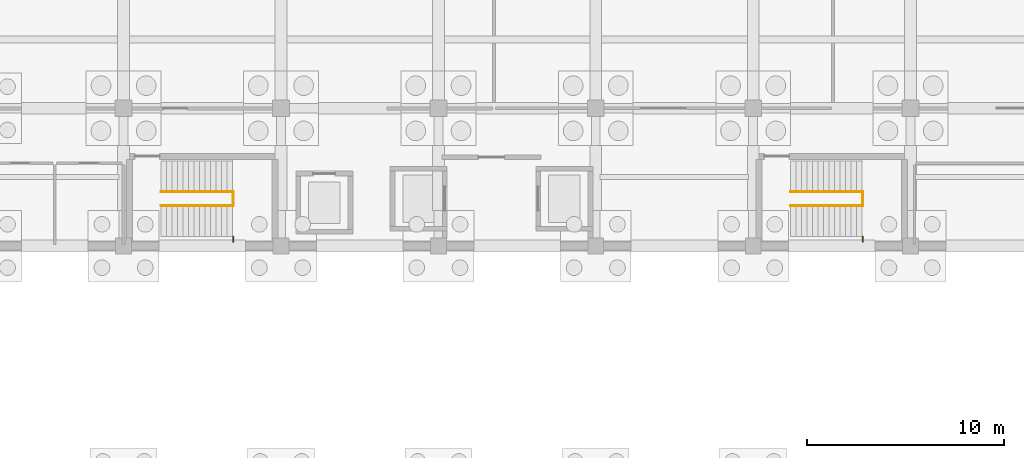
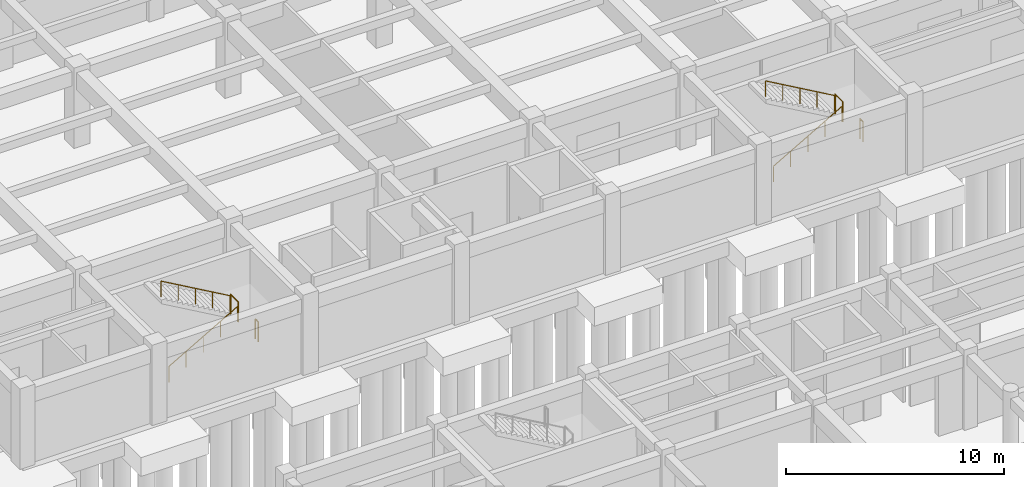
# One storey, part 26 of 28: 8 railings.
"""IFC4 building model written with IfcOpenShell, lengths in metres."""

from ifc_helpers import new_model, si_unit, direction, frame, origin, origin_2d, place, context, subcontext, project, spatial, circle, extrude, material, type_object, element, save


model = new_model("IFC4")

# Units and contexts
model_context = context("Model", 3, precision=1e-05, world=origin(), true_north=direction((0.0, 1.0)))
body_context = subcontext(model_context, "Body", "Model", "MODEL_VIEW")
ifc_project = project(units=[si_unit("LENGTHUNIT", "METRE"), si_unit("AREAUNIT", "SQUARE_METRE"), si_unit("VOLUMEUNIT", "CUBIC_METRE"), si_unit("PLANEANGLEUNIT", "RADIAN"), si_unit("MASSUNIT", "GRAM", prefix="KILO")], contexts=[model_context])

# Site, building, storey
site_placement = place(None, origin())
site = spatial("IfcSite", under=ifc_project, at=site_placement, CompositionType="ELEMENT")
building_placement = place(site_placement, origin())
building = spatial("IfcBuilding", under=site, at=building_placement, Name="Naurynzar Civic Courthouse", CompositionType="ELEMENT")
storey_placement = place(building_placement, frame((0.0, 0.0, -4.5)))
storey = spatial("IfcBuildingStorey", under=building, at=storey_placement, Name="B01", CompositionType="ELEMENT", Elevation=-4.5)

# Railings
ifc_material_1 = material(Name="Brushed Stainless Steel 304", Category="steel")
railing_type_1 = type_object("IfcRailingType", Name="RAIL-BAL-1100", PredefinedType="BALUSTRADE", material=ifc_material_1)
railing_1_placement = place(storey_placement, frame((74.580078125, 46.0400390625, 2.25)))
element("IfcRailing", 1, at=railing_1_placement, inside=storey, type_object=railing_type_1, Name="Stair ST-V2A-B01 half-landing well guard", PredefinedType="BALUSTRADE", context=body_context, shape_type="SweptSolid", body=[
    extrude(circle(Radius=0.02392578125, at=origin_2d()), frame((0.0, 0.0, 1.09619140625), z_axis=(0.0, 1.0, 0.0), x_axis=(-1.0, 0.0, 0.0)), (0.0, 0.0, 1.0), 0.719970703125),
    extrude(circle(Radius=0.02099609375, at=origin_2d()), origin(), (0.0, 0.0, 1.0), 1.072021484375),
    extrude(circle(Radius=0.02099609375, at=origin_2d()), frame((0.0, 0.719970703125, 0.0)), (0.0, 0.0, 1.0), 1.072021484375),
])
railing_2_placement = place(storey_placement, frame((74.580078125, 44.205078125, 2.25)))
element("IfcRailing", 2, at=railing_2_placement, inside=storey, type_object=railing_type_1, Name="Stair ST-V2A-B01 half-landing south slot guard", PredefinedType="BALUSTRADE", context=body_context, shape_type="SweptSolid", body=[
    extrude(circle(Radius=0.02392578125, at=origin_2d()), frame((0.0, 0.0, 1.09619140625), z_axis=(0.0, 1.0, 0.0), x_axis=(-1.0, 0.0, 0.0)), (0.0, 0.0, 1.0), 0.27490234375),
    extrude(circle(Radius=0.02099609375, at=origin_2d()), origin(), (0.0, 0.0, 1.0), 1.072021484375),
    extrude(circle(Radius=0.02099609375, at=origin_2d()), frame((0.0, 0.27490234375, 0.0)), (0.0, 0.0, 1.0), 1.072021484375),
])
railing_3_placement = place(storey_placement, frame((106.580078125, 46.0400390625, 2.25)))
element("IfcRailing", 3, at=railing_3_placement, inside=storey, type_object=railing_type_1, Name="Stair ST-V2B-B01 half-landing well guard", PredefinedType="BALUSTRADE", context=body_context, shape_type="SweptSolid", body=[
    extrude(circle(Radius=0.02392578125, at=origin_2d()), frame((0.0, 0.0, 1.09619140625), z_axis=(0.0, 1.0, 0.0), x_axis=(-1.0, 0.0, 0.0)), (0.0, 0.0, 1.0), 0.719970703125),
    extrude(circle(Radius=0.02099609375, at=origin_2d()), origin(), (0.0, 0.0, 1.0), 1.072021484375),
    extrude(circle(Radius=0.02099609375, at=origin_2d()), frame((0.0, 0.719970703125, 0.0)), (0.0, 0.0, 1.0), 1.072021484375),
])
railing_4_placement = place(storey_placement, frame((106.580078125, 44.205078125, 2.25)))
element("IfcRailing", 4, at=railing_4_placement, inside=storey, type_object=railing_type_1, Name="Stair ST-V2B-B01 half-landing south slot guard", PredefinedType="BALUSTRADE", context=body_context, shape_type="SweptSolid", body=[
    extrude(circle(Radius=0.02392578125, at=origin_2d()), frame((0.0, 0.0, 1.09619140625), z_axis=(0.0, 1.0, 0.0), x_axis=(-1.0, 0.0, 0.0)), (0.0, 0.0, 1.0), 0.27490234375),
    extrude(circle(Radius=0.02099609375, at=origin_2d()), origin(), (0.0, 0.0, 1.0), 1.072021484375),
    extrude(circle(Radius=0.02099609375, at=origin_2d()), frame((0.0, 0.27490234375, 0.0)), (0.0, 0.0, 1.0), 1.072021484375),
])
ifc_material_2 = material(Name="Brushed Stainless Steel 304", Category="steel")
railing_type_2 = type_object("IfcRailingType", Name="RAIL-HR-900", PredefinedType="HANDRAIL", material=ifc_material_2)
railing_5_placement = place(storey_placement, frame((70.89990234375, 46.0400390625, 0.16064453125)))
element("IfcRailing", 5, at=railing_5_placement, inside=storey, type_object=railing_type_2, Name="Stair ST-V2A-B01 flight 1 handrail", PredefinedType="HANDRAIL", context=body_context, shape_type="SweptSolid", body=[
    extrude(circle(Radius=0.02392578125, at=origin_2d()), frame((0.0, 0.0, 0.8759765625), z_axis=(0.867289372828, 0.0, 0.497804322781), x_axis=(0.0, 1.0, 0.0)), (0.0, 0.0, 1.0), 4.197021484375),
    extrude(circle(Radius=0.02099609375, at=origin_2d()), origin(), (0.0, 0.0, 1.0), 0.851806640625),
    extrude(circle(Radius=0.02099609375, at=origin_2d()), frame((0.91015625, 0.0, 0.5224609375)), (0.0, 0.0, 1.0), 0.851806640625),
    extrude(circle(Radius=0.02099609375, at=origin_2d()), frame((1.820068359375, 0.0, 1.044677734375)), (0.0, 0.0, 1.0), 0.851806640625),
    extrude(circle(Radius=0.02099609375, at=origin_2d()), frame((2.72998046875, 0.0, 1.56689453125)), (0.0, 0.0, 1.0), 0.851806640625),
    extrude(circle(Radius=0.02099609375, at=origin_2d()), frame((3.64013671875, 0.0, 2.08935546875)), (0.0, 0.0, 1.0), 0.851806640625),
])
railing_6_placement = place(storey_placement, frame((74.5400390625, 46.760009765625, 2.41064453125)))
element("IfcRailing", 6, at=railing_6_placement, inside=storey, type_object=railing_type_2, Name="Stair ST-V2A-B01 flight 2 handrail", PredefinedType="HANDRAIL", context=body_context, shape_type="SweptSolid", body=[
    extrude(circle(Radius=0.02392578125, at=origin_2d()), frame((0.0, 0.0, 0.8759765625), z_axis=(-0.867289372828, 0.0, 0.497804322781), x_axis=(0.0, -1.0, 0.0)), (0.0, 0.0, 1.0), 4.197021484375),
    extrude(circle(Radius=0.02099609375, at=origin_2d()), origin(), (0.0, 0.0, 1.0), 0.851806640625),
    extrude(circle(Radius=0.02099609375, at=origin_2d()), frame((-0.91015625, 0.0, 0.5224609375)), (0.0, 0.0, 1.0), 0.851806640625),
    extrude(circle(Radius=0.02099609375, at=origin_2d()), frame((-1.820068359375, 0.0, 1.044677734375)), (0.0, 0.0, 1.0), 0.851806640625),
    extrude(circle(Radius=0.02099609375, at=origin_2d()), frame((-2.72998046875, 0.0, 1.56689453125)), (0.0, 0.0, 1.0), 0.851806640625),
    extrude(circle(Radius=0.02099609375, at=origin_2d()), frame((-3.64013671875, 0.0, 2.08935546875)), (0.0, 0.0, 1.0), 0.851806640625),
])
railing_7_placement = place(storey_placement, frame((102.89990234375, 46.0400390625, 0.16064453125)))
element("IfcRailing", 7, at=railing_7_placement, inside=storey, type_object=railing_type_2, Name="Stair ST-V2B-B01 flight 1 handrail", PredefinedType="HANDRAIL", context=body_context, shape_type="SweptSolid", body=[
    extrude(circle(Radius=0.02392578125, at=origin_2d()), frame((0.0, 0.0, 0.8759765625), z_axis=(0.867289372828, 0.0, 0.497804322781), x_axis=(0.0, 1.0, 0.0)), (0.0, 0.0, 1.0), 4.197021484375),
    extrude(circle(Radius=0.02099609375, at=origin_2d()), origin(), (0.0, 0.0, 1.0), 0.851806640625),
    extrude(circle(Radius=0.02099609375, at=origin_2d()), frame((0.91015625, 0.0, 0.5224609375)), (0.0, 0.0, 1.0), 0.851806640625),
    extrude(circle(Radius=0.02099609375, at=origin_2d()), frame((1.820068359375, 0.0, 1.044677734375)), (0.0, 0.0, 1.0), 0.851806640625),
    extrude(circle(Radius=0.02099609375, at=origin_2d()), frame((2.72998046875, 0.0, 1.56689453125)), (0.0, 0.0, 1.0), 0.851806640625),
    extrude(circle(Radius=0.02099609375, at=origin_2d()), frame((3.64013671875, 0.0, 2.08935546875)), (0.0, 0.0, 1.0), 0.851806640625),
])
railing_8_placement = place(storey_placement, frame((106.5400390625, 46.760009765625, 2.41064453125)))
element("IfcRailing", 8, at=railing_8_placement, inside=storey, type_object=railing_type_2, Name="Stair ST-V2B-B01 flight 2 handrail", PredefinedType="HANDRAIL", context=body_context, shape_type="SweptSolid", body=[
    extrude(circle(Radius=0.02392578125, at=origin_2d()), frame((0.0, 0.0, 0.8759765625), z_axis=(-0.867289372828, 0.0, 0.497804322781), x_axis=(0.0, -1.0, 0.0)), (0.0, 0.0, 1.0), 4.197021484375),
    extrude(circle(Radius=0.02099609375, at=origin_2d()), origin(), (0.0, 0.0, 1.0), 0.851806640625),
    extrude(circle(Radius=0.02099609375, at=origin_2d()), frame((-0.91015625, 0.0, 0.5224609375)), (0.0, 0.0, 1.0), 0.851806640625),
    extrude(circle(Radius=0.02099609375, at=origin_2d()), frame((-1.820068359375, 0.0, 1.044677734375)), (0.0, 0.0, 1.0), 0.851806640625),
    extrude(circle(Radius=0.02099609375, at=origin_2d()), frame((-2.72998046875, 0.0, 1.56689453125)), (0.0, 0.0, 1.0), 0.851806640625),
    extrude(circle(Radius=0.02099609375, at=origin_2d()), frame((-3.64013671875, 0.0, 2.08935546875)), (0.0, 0.0, 1.0), 0.851806640625),
])

save(model, "model.ifc")
